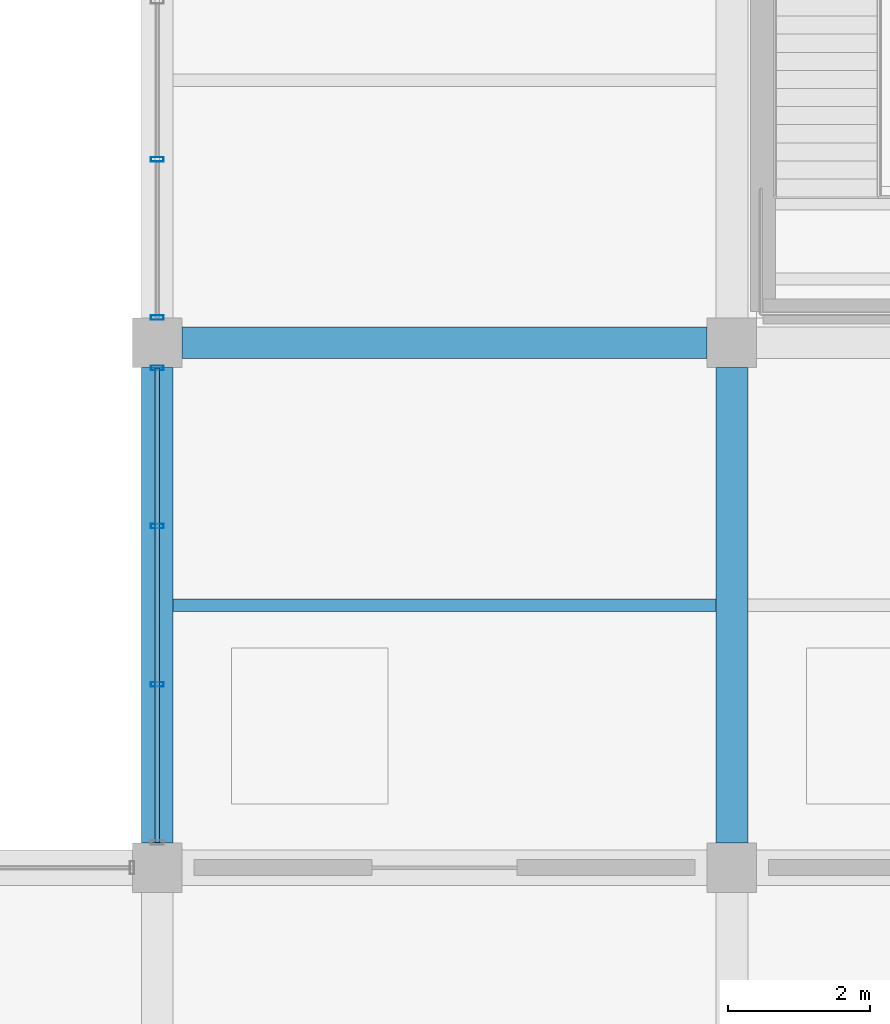
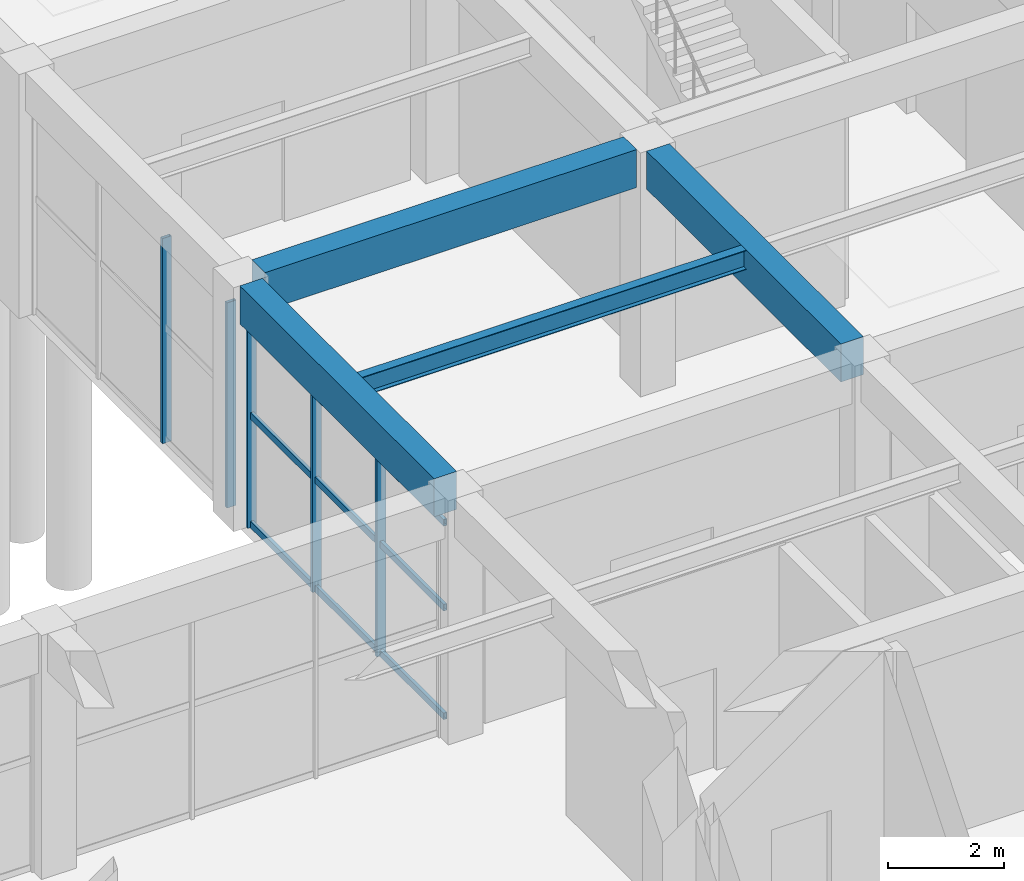
# One storey, part 47 of 140: 8 members, 4 beams, 2 elements without a shape of their own.
"""IFC4 building model written with IfcOpenShell, lengths in metres."""

from ifc_helpers import new_model, si_unit, direction, frame, origin, origin_2d, place, context, subcontext, project, spatial, rectangle, hollow_rectangle, i_section, extrude, material, material_profile, profile_set, type_object, element, aggregate, save


model = new_model("IFC4")

# Units and contexts
model_context = context("Model", 3, precision=1e-05, world=origin(), true_north=direction((0.0, 1.0)))
body_context = subcontext(model_context, "Body", "Model", "MODEL_VIEW")
ifc_project = project(units=[si_unit("LENGTHUNIT", "METRE"), si_unit("AREAUNIT", "SQUARE_METRE"), si_unit("VOLUMEUNIT", "CUBIC_METRE"), si_unit("PLANEANGLEUNIT", "RADIAN"), si_unit("MASSUNIT", "GRAM", prefix="KILO")], contexts=[model_context])

# Site, building, storey
site_placement = place(None, origin())
site = spatial("IfcSite", under=ifc_project, at=site_placement, CompositionType="ELEMENT")
building_placement = place(site_placement, origin())
building = spatial("IfcBuilding", under=site, at=building_placement, Name="Cimatlan Art Gallery", CompositionType="ELEMENT")
storey_placement = place(building_placement, origin())
storey = spatial("IfcBuildingStorey", under=building, at=storey_placement, Name="L00", CompositionType="ELEMENT", Elevation=0.0)

# Beams
ifc_material_1 = material(Name="Concrete C40/50", Category="concrete")
ifc_material_profile_1 = material_profile(ifc_material_1, rectangle(XDim=0.449951171875, YDim=0.800048828125, at=origin_2d()), Name="RC450X800")
ifc_profile_set_1 = profile_set([ifc_material_profile_1], Name="Concrete C40/50")
beam_type_1 = type_object("IfcBeamType", Name="BM-RC-450X800", PredefinedType="BEAM", material=ifc_profile_set_1)
for number, where, z_axis, x_axis, name in (
    (1, (115.39990234375, 39.050048828125, 4.735107421875), (0.0, 1.0, 0.0), (-1.0, 0.0, 0.0), "BM-Y-L00-14-05"),
    (2, (123.5, 39.050048828125, 4.735107421875), (0.0, 1.0, 0.0), (-1.0, 0.0, 0.0), "BM-Y-L00-15-05"),
):
    element("IfcBeam", number, at=place(storey_placement, frame(where, z_axis=z_axis, x_axis=x_axis)), inside=storey, type_object=beam_type_1, Name=name, PredefinedType="BEAM", context=body_context, shape_type="SweptSolid", body=[
        extrude(rectangle(XDim=0.449951171875, YDim=0.800048828125, at=origin_2d()), origin(), (0.0, 0.0, 1.0), 6.699951171875),
    ])
beam_1_placement = place(storey_placement, frame((115.75, 46.10009765625, 4.735107421875), z_axis=(1.0, 0.0, 0.0), x_axis=(0.0, 1.0, 0.0)))
element("IfcBeam", 3, at=beam_1_placement, inside=storey, type_object=beam_type_1, Name="BM-X-L00-14-06", PredefinedType="BEAM", context=body_context, shape_type="SweptSolid", body=[
    extrude(rectangle(XDim=0.449951171875, YDim=0.800048828125, at=origin_2d()), origin(), (0.0, 0.0, 1.0), 7.39990234375),
])
ifc_material_2 = material(Name="Steel ASTM A992 Grade 50", Category="steel")
ifc_material_profile_2 = material_profile(ifc_material_2, i_section(OverallWidth=0.177978515625, OverallDepth=0.406982421875, WebThickness=0.0078125, FlangeThickness=0.0126953125, at=origin_2d()), Name="W16X40")
ifc_profile_set_2 = profile_set([ifc_material_profile_2], Name="Steel ASTM A992 Grade 50")
beam_type_2 = type_object("IfcBeamType", Name="BM-STL-W16X40", PredefinedType="JOIST", material=ifc_profile_set_2)
beam_2_placement = place(storey_placement, frame((115.625, 42.39990234375, 4.931396484375), z_axis=(1.0, 0.0, 0.0), x_axis=(0.0, 1.0, 0.0)))
element("IfcBeam", 4, at=beam_2_placement, inside=storey, type_object=beam_type_2, Name="JST-L00-14-05", PredefinedType="JOIST", context=body_context, shape_type="SweptSolid", body=[
    extrude(i_section(OverallWidth=0.177978515625, OverallDepth=0.406982421875, WebThickness=0.0078125, FlangeThickness=0.0126953125, at=origin_2d()), origin(), (0.0, 0.0, 1.0), 7.64990234375),
])

# Curtain wall, members
ifc_material_3 = material(Name="Anodised bronze unitised curtain wall")
curtain_wall_type_1 = type_object("IfcCurtainWallType", Name="CW-V-06692X04195-B3", PredefinedType="NOTDEFINED", material=ifc_material_3)
curtain_wall_1_placement = place(storey_placement, origin())
curtain_wall_1 = element("IfcCurtainWall", 5, at=curtain_wall_1_placement, inside=storey, type_object=curtain_wall_type_1, Name="CW-L00-14-05-W", PredefinedType="NOTDEFINED")
ifc_material_4 = material(Name="Anodised bronze aluminium 6063-T6", Category="aluminium")
ifc_material_profile_3 = material_profile(ifc_material_4, hollow_rectangle(XDim=0.06494140625, YDim=0.179931640625, WallThickness=0.00390625, at=origin_2d()), Name="ALU65X180X4")
ifc_profile_set_3 = profile_set([ifc_material_profile_3], Name="Anodised bronze aluminium 6063-T6")
member_type_1 = type_object("IfcMemberType", Name="CW-MUL-180", PredefinedType="MULLION", material=ifc_profile_set_3)
member_1_placement = place(storey_placement, frame((115.39990234375, 41.28466796875, 0.0), z_axis=(0.0, 0.0, 1.0), x_axis=(0.0, 1.0, 0.0)))
member_1 = element("IfcMember", 6, at=member_1_placement, type_object=member_type_1, Name="CW-L00-14-05-W-M2", PredefinedType="MULLION", context=body_context, shape_type="SweptSolid", body=[
    extrude(hollow_rectangle(XDim=0.06494140625, YDim=0.179931640625, WallThickness=0.00390625, at=origin_2d()), origin(), (0.0, 0.0, 1.0), 4.195068359375),
])
member_2_placement = place(storey_placement, frame((115.39990234375, 43.515380859375, 0.0), z_axis=(0.0, 0.0, 1.0), x_axis=(0.0, 1.0, 0.0)))
member_2 = element("IfcMember", 7, at=member_2_placement, type_object=member_type_1, Name="CW-L00-14-05-W-M3", PredefinedType="MULLION", context=body_context, shape_type="SweptSolid", body=[
    extrude(hollow_rectangle(XDim=0.06494140625, YDim=0.179931640625, WallThickness=0.00390625, at=origin_2d()), origin(), (0.0, 0.0, 1.0), 4.195068359375),
])
member_3_placement = place(storey_placement, frame((115.39990234375, 45.74609375, 0.0), z_axis=(0.0, 0.0, 1.0), x_axis=(0.0, 1.0, 0.0)))
member_3 = element("IfcMember", 8, at=member_3_placement, type_object=member_type_1, Name="CW-L00-14-05-W-M4", PredefinedType="MULLION", context=body_context, shape_type="SweptSolid", body=[
    extrude(hollow_rectangle(XDim=0.06494140625, YDim=0.179931640625, WallThickness=0.00390625, at=origin_2d()), origin(), (0.0, 0.0, 1.0), 4.195068359375),
])

curtain_wall_type_2 = type_object("IfcCurtainWallType", Name="CW-V-06692X04320-B3", PredefinedType="NOTDEFINED", material=ifc_material_3)
curtain_wall_2_placement = place(storey_placement, origin())
curtain_wall_2 = element("IfcCurtainWall", 9, at=curtain_wall_2_placement, inside=storey, type_object=curtain_wall_type_2, Name="CW-L00-14-06-W", PredefinedType="NOTDEFINED")
member_4_placement = place(storey_placement, frame((115.39990234375, 46.4541015625, 0.0), z_axis=(0.0, 0.0, 1.0), x_axis=(0.0, 1.0, 0.0)))
member_4 = element("IfcMember", 10, at=member_4_placement, type_object=member_type_1, Name="CW-L00-14-06-W-M1", PredefinedType="MULLION", context=body_context, shape_type="SweptSolid", body=[
    extrude(hollow_rectangle(XDim=0.06494140625, YDim=0.179931640625, WallThickness=0.00390625, at=origin_2d()), origin(), (0.0, 0.0, 1.0), 4.320068359375),
])
member_5_placement = place(storey_placement, frame((115.39990234375, 48.6845703125, 0.0), z_axis=(0.0, 0.0, 1.0), x_axis=(0.0, 1.0, 0.0)))
member_5 = element("IfcMember", 11, at=member_5_placement, type_object=member_type_1, Name="CW-L00-14-06-W-M2", PredefinedType="MULLION", context=body_context, shape_type="SweptSolid", body=[
    extrude(hollow_rectangle(XDim=0.06494140625, YDim=0.179931640625, WallThickness=0.00390625, at=origin_2d()), origin(), (0.0, 0.0, 1.0), 4.320068359375),
])
aggregate(curtain_wall_2, [member_4, member_5])

# Member
ifc_material_profile_4 = material_profile(ifc_material_4, hollow_rectangle(XDim=0.06494140625, YDim=0.139892578125, WallThickness=0.00390625, at=origin_2d()), Name="ALU65X140X4")
ifc_profile_set_4 = profile_set([ifc_material_profile_4], Name="Anodised bronze aluminium 6063-T6")
member_type_2 = type_object("IfcMemberType", Name="CW-TRN-140", PredefinedType="USERDEFINED", material=ifc_profile_set_4)
member_6_placement = place(storey_placement, frame((115.39990234375, 39.053955078125, 0.06005859375), z_axis=(0.0, 1.0, 0.0), x_axis=(-1.0, 0.0, 0.0)))
member_6 = element("IfcMember", 12, at=member_6_placement, type_object=member_type_2, Name="CW-L00-14-05-W-T1", ObjectType="TRANSOM", PredefinedType="USERDEFINED", context=body_context, shape_type="SweptSolid", body=[
    extrude(hollow_rectangle(XDim=0.06494140625, YDim=0.139892578125, WallThickness=0.00390625, at=origin_2d()), origin(), (0.0, 0.0, 1.0), 6.692138671875),
])

member_7_placement = place(storey_placement, frame((115.39990234375, 39.053955078125, 2.34912109375), z_axis=(0.0, 1.0, 0.0), x_axis=(-1.0, 0.0, 0.0)))
member_7 = element("IfcMember", 13, at=member_7_placement, type_object=member_type_2, Name="CW-L00-14-05-W-T2", ObjectType="TRANSOM", PredefinedType="USERDEFINED", context=body_context, shape_type="SweptSolid", body=[
    extrude(hollow_rectangle(XDim=0.06494140625, YDim=0.139892578125, WallThickness=0.00390625, at=origin_2d()), origin(), (0.0, 0.0, 1.0), 6.692138671875),
])

member_8_placement = place(storey_placement, frame((115.39990234375, 39.053955078125, 4.135009765625), z_axis=(0.0, 1.0, 0.0), x_axis=(-1.0, 0.0, 0.0)))
member_8 = element("IfcMember", 14, at=member_8_placement, type_object=member_type_2, Name="CW-L00-14-05-W-T3", ObjectType="TRANSOM", PredefinedType="USERDEFINED", context=body_context, shape_type="SweptSolid", body=[
    extrude(hollow_rectangle(XDim=0.06494140625, YDim=0.139892578125, WallThickness=0.00390625, at=origin_2d()), origin(), (0.0, 0.0, 1.0), 6.692138671875),
])

aggregate(curtain_wall_1, [member_1, member_2, member_3, member_6, member_7, member_8])

save(model, "model.ifc")
